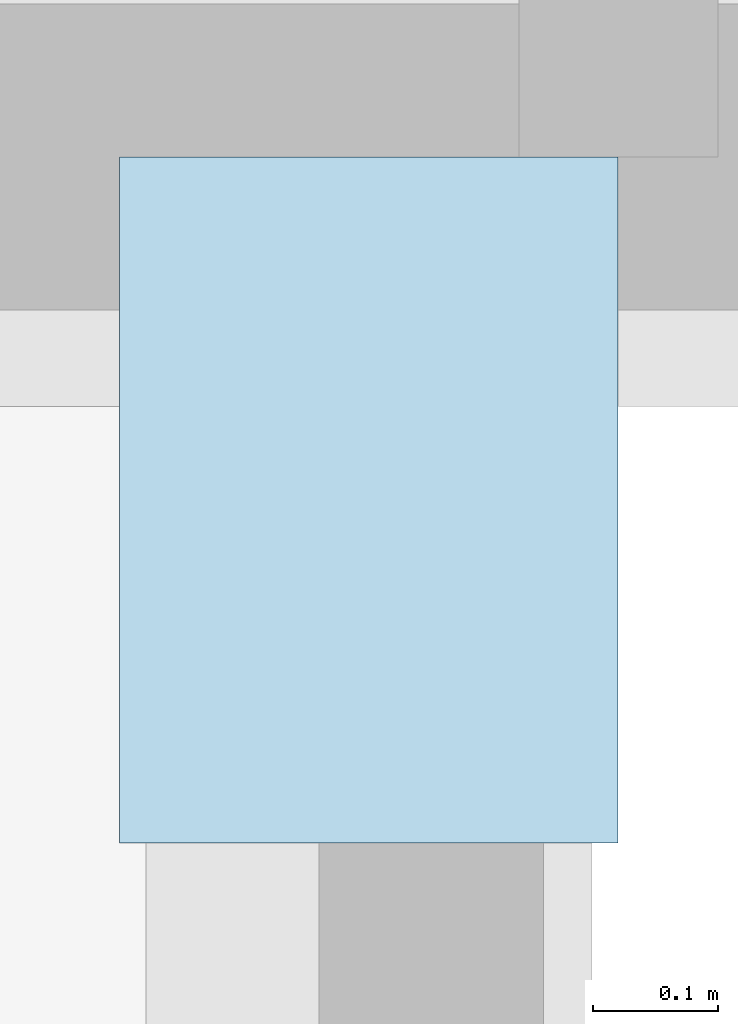
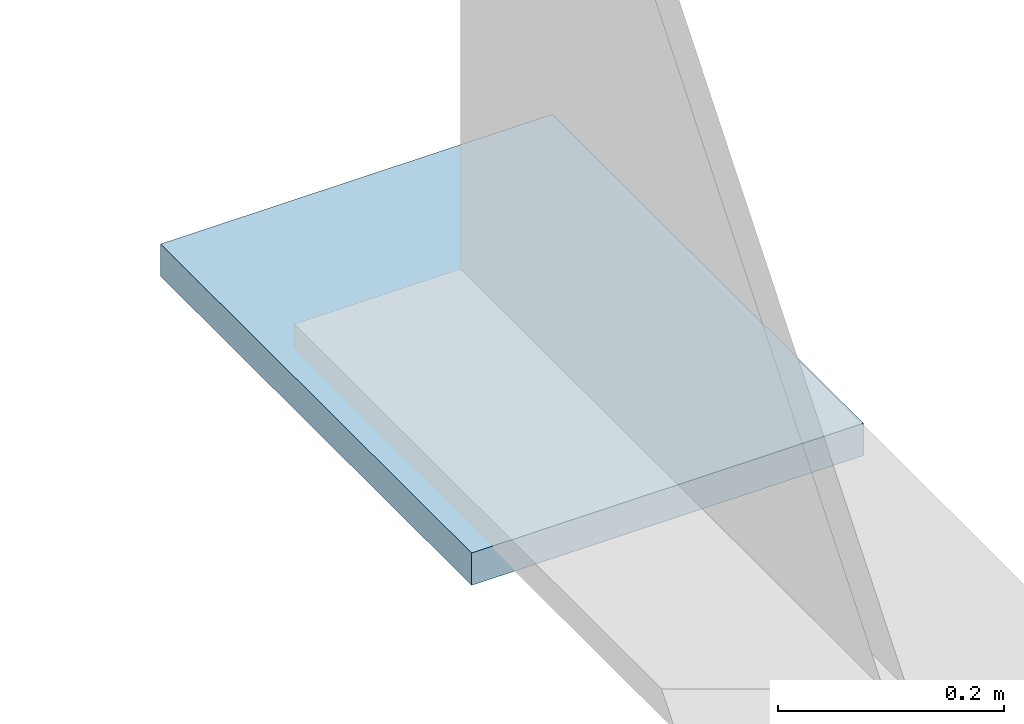
# One storey, part 51 of 79: 1 plate.
"""IFC4 building model written with IfcOpenShell, lengths in metres."""

from ifc_helpers import new_model, si_unit, direction, frame, origin, origin_2d, place, context, subcontext, project, spatial, rectangle, extrude, material, layer, layer_set, type_object, element, save


model = new_model("IFC4")

# Units and contexts
model_context = context("Model", 3, precision=1e-05, world=origin(), true_north=direction((0.0, 1.0)))
body_context = subcontext(model_context, "Body", "Model", "MODEL_VIEW")
ifc_project = project(units=[si_unit("LENGTHUNIT", "METRE"), si_unit("AREAUNIT", "SQUARE_METRE"), si_unit("VOLUMEUNIT", "CUBIC_METRE"), si_unit("PLANEANGLEUNIT", "RADIAN"), si_unit("MASSUNIT", "GRAM", prefix="KILO")], contexts=[model_context])

# Site, building, storey
site_placement = place(None, origin())
site = spatial("IfcSite", under=ifc_project, at=site_placement, CompositionType="ELEMENT")
building_placement = place(site_placement, origin())
building = spatial("IfcBuilding", under=site, at=building_placement, Name="Tlaxcora Railside Police Headquarters", CompositionType="ELEMENT")
storey_placement = place(building_placement, frame((0.0, 0.0, 9.0)))
storey = spatial("IfcBuildingStorey", under=building, at=storey_placement, Name="L02", CompositionType="ELEMENT", Elevation=9.0)

# Plate
ifc_material = material(Name="Steel ASTM A992 Grade 50", Category="steel")
ifc_layer = layer(ifc_material, 0.02490234375, Name="Steel ASTM A992 Grade 50")
ifc_layer_set = layer_set([ifc_layer], Name="Steel ASTM A992 Grade 50")
plate_type = type_object("IfcPlateType", Name="Structural Gusset or Cap Plate GP-22", PredefinedType="USERDEFINED", material=ifc_layer_set)
plate_placement = place(storey_placement, frame((58.64990234375, 76.52490234375, -1.03515625), z_axis=(0.0, 0.0, 1.0), x_axis=(1.0, 0.0, 0.0)))
element("IfcPlate", 1, at=plate_placement, inside=storey, type_object=plate_type, Name="Bridge 550mm PTFE sliding bearing seat N X=58.65", ObjectType="GUSSET PLATE", PredefinedType="USERDEFINED", context=body_context, shape_type="SweptSolid", body=[
    extrude(rectangle(XDim=0.39990234375, YDim=0.550048828125, at=origin_2d()), origin(), (0.0, 0.0, 1.0), 0.034912109375),
])

save(model, "model.ifc")
